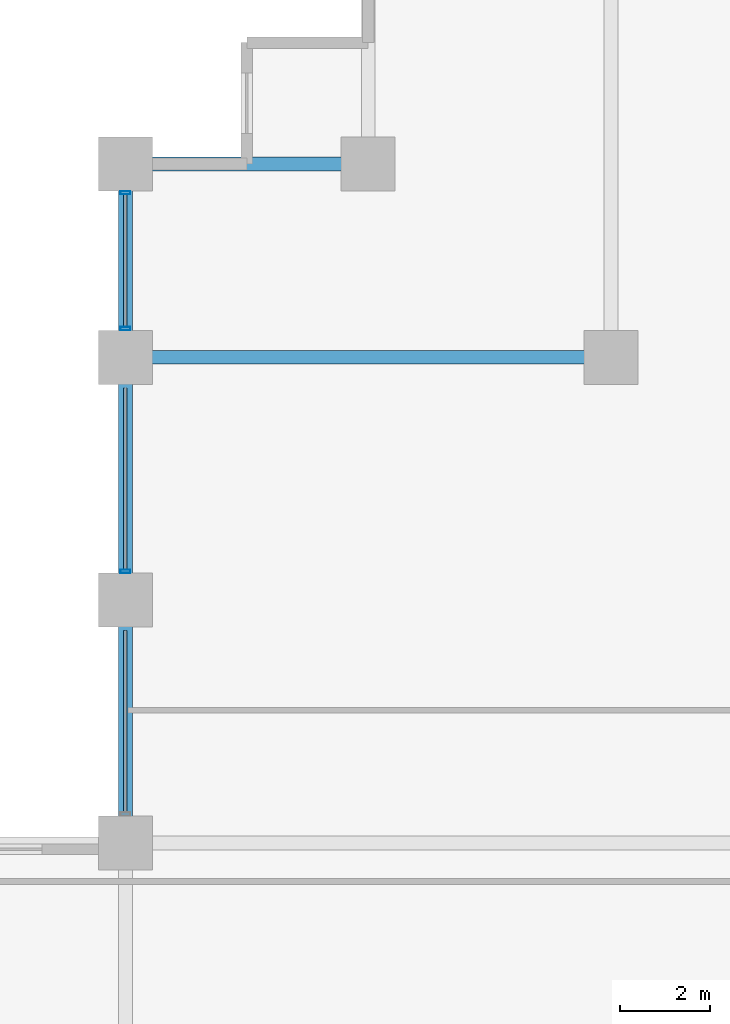
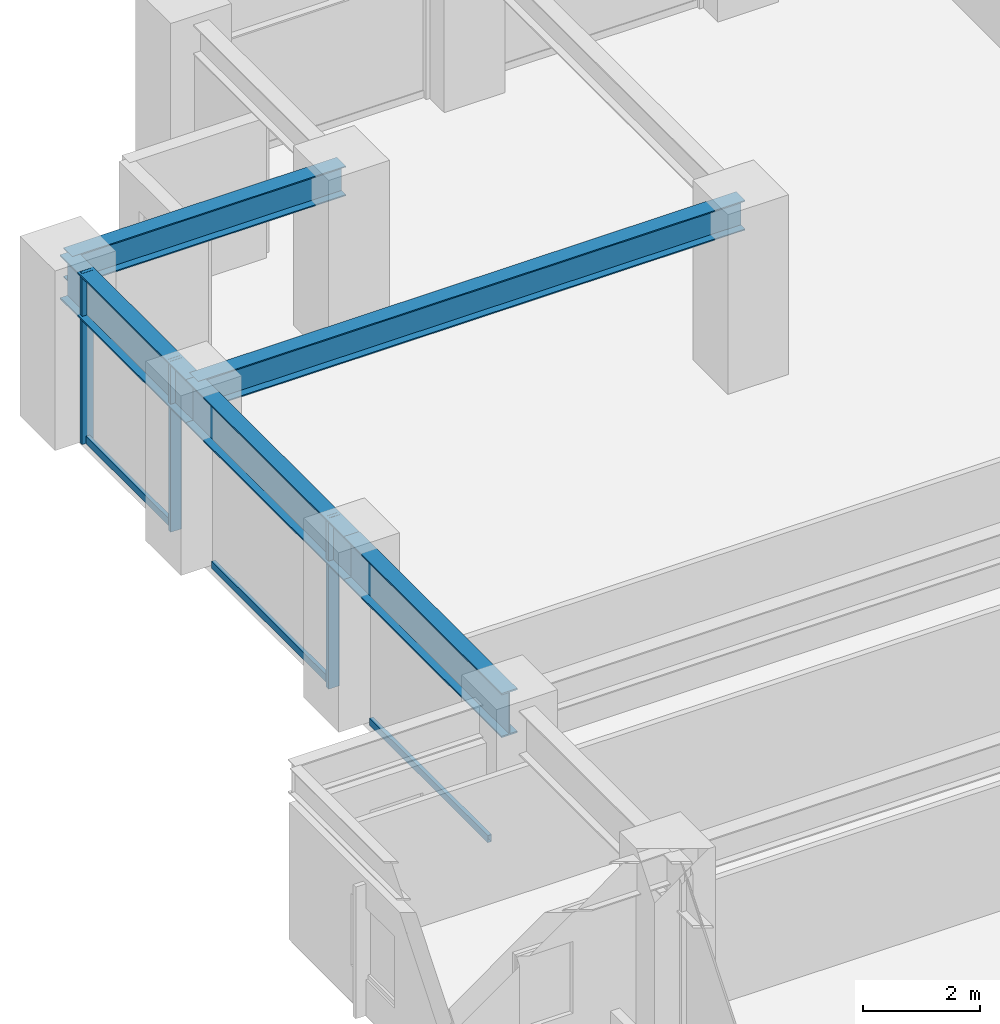
# One storey, part 10 of 28: 6 members, 5 beams, 1 element without a shape of its own.
"""IFC4 building model written with IfcOpenShell, lengths in metres."""

from ifc_helpers import new_model, si_unit, direction, frame, origin, origin_2d, place, context, subcontext, project, spatial, hollow_rectangle, i_section, extrude, material, layer, layer_set, material_profile, profile_set, type_object, element, aggregate, save


model = new_model("IFC4")

# Units and contexts
model_context = context("Model", 3, precision=1e-05, world=origin(), true_north=direction((0.0, 1.0)))
body_context = subcontext(model_context, "Body", "Model", "MODEL_VIEW")
ifc_project = project(units=[si_unit("LENGTHUNIT", "METRE"), si_unit("AREAUNIT", "SQUARE_METRE"), si_unit("VOLUMEUNIT", "CUBIC_METRE"), si_unit("PLANEANGLEUNIT", "RADIAN"), si_unit("MASSUNIT", "GRAM", prefix="KILO")], contexts=[model_context])

# Site, building, storey
site_placement = place(None, origin())
site = spatial("IfcSite", under=ifc_project, at=site_placement, CompositionType="ELEMENT")
building_placement = place(site_placement, origin())
building = spatial("IfcBuilding", under=site, at=building_placement, Name="Surkhivell Harbour Commons", CompositionType="ELEMENT")
storey_placement = place(building_placement, frame((0.0, 0.0, 63.75)))
storey = spatial("IfcBuildingStorey", under=building, at=storey_placement, Name="L16", CompositionType="ELEMENT", Elevation=63.75)

# Beams
ifc_material_1 = material(Name="Steel S355", Category="steel")
ifc_material_profile_1 = material_profile(ifc_material_1, i_section(OverallWidth=0.306884765625, OverallDepth=0.6201171875, WebThickness=0.01416015625, FlangeThickness=0.023681640625, at=origin_2d()), Name="UB610x305x179")
ifc_profile_set_1 = profile_set([ifc_material_profile_1], Name="Steel S355")
beam_type_1 = type_object("IfcBeamType", Name="BM-GRD-610A", PredefinedType="BEAM", material=ifc_profile_set_1)
beam_1_placement = place(storey_placement, frame((-32.39990234375, 16.199951171875, 3.260009765625), z_axis=(1.0, 0.0, 0.0), x_axis=(0.0, 1.0, 0.0)))
element("IfcBeam", 1, at=beam_1_placement, inside=storey, type_object=beam_type_1, Name="L16 Floor Girder (-32.4,16.2)", PredefinedType="BEAM", context=body_context, shape_type="SweptSolid", body=[
    extrude(i_section(OverallWidth=0.306884765625, OverallDepth=0.6201171875, WebThickness=0.01416015625, FlangeThickness=0.023681640625, at=origin_2d()), origin(), (0.0, 0.0, 1.0), 10.7998046875),
])
beam_2_placement = place(storey_placement, frame((-32.39990234375, 20.5, 3.260009765625), z_axis=(1.0, 0.0, 0.0), x_axis=(0.0, 1.0, 0.0)))
element("IfcBeam", 2, at=beam_2_placement, inside=storey, type_object=beam_type_1, Name="L16 Floor Girder (-32.4,20.5)", PredefinedType="BEAM", context=body_context, shape_type="SweptSolid", body=[
    extrude(i_section(OverallWidth=0.306884765625, OverallDepth=0.6201171875, WebThickness=0.01416015625, FlangeThickness=0.023681640625, at=origin_2d()), origin(), (0.0, 0.0, 1.0), 5.39990234375),
])
ifc_material_2 = material(Name="Steel S460", Category="steel")
ifc_material_profile_2 = material_profile(ifc_material_2, i_section(OverallWidth=0.30810546875, OverallDepth=0.927001953125, WebThickness=0.01953125, FlangeThickness=0.031982421875, at=origin_2d()), Name="UB914x305x289")
ifc_profile_set_2 = profile_set([ifc_material_profile_2], Name="Steel S460")
beam_type_2 = type_object("IfcBeamType", Name="BM-SPN-914B", PredefinedType="SPANDREL", material=ifc_profile_set_2)
beam_3_placement = place(storey_placement, frame((-32.39990234375, 5.39990234375, 3.1064453125), z_axis=(0.0, 1.0, 0.0), x_axis=(-1.0, 0.0, 0.0)))
element("IfcBeam", 3, at=beam_3_placement, inside=storey, type_object=beam_type_2, Name="L16 Tube Spandrel (-32.4,5.4)", PredefinedType="SPANDREL", context=body_context, shape_type="SweptSolid", body=[
    extrude(i_section(OverallWidth=0.30810546875, OverallDepth=0.927001953125, WebThickness=0.01953125, FlangeThickness=0.031982421875, at=origin_2d()), origin(), (0.0, 0.0, 1.0), 5.400146484375),
])
beam_4_placement = place(storey_placement, frame((-32.39990234375, 10.800048828125, 3.1064453125), z_axis=(0.0, 1.0, 0.0), x_axis=(-1.0, 0.0, 0.0)))
element("IfcBeam", 4, at=beam_4_placement, inside=storey, type_object=beam_type_2, Name="L16 Tube Spandrel (-32.4,10.8)", PredefinedType="SPANDREL", context=body_context, shape_type="SweptSolid", body=[
    extrude(i_section(OverallWidth=0.30810546875, OverallDepth=0.927001953125, WebThickness=0.01953125, FlangeThickness=0.031982421875, at=origin_2d()), origin(), (0.0, 0.0, 1.0), 5.39990234375),
])
beam_5_placement = place(storey_placement, frame((-32.39990234375, 16.199951171875, 3.1064453125), z_axis=(0.0, 1.0, 0.0), x_axis=(-1.0, 0.0, 0.0)))
element("IfcBeam", 5, at=beam_5_placement, inside=storey, type_object=beam_type_2, Name="L16 Tube Spandrel (-32.4,16.2)", PredefinedType="SPANDREL", context=body_context, shape_type="SweptSolid", body=[
    extrude(i_section(OverallWidth=0.30810546875, OverallDepth=0.927001953125, WebThickness=0.01953125, FlangeThickness=0.031982421875, at=origin_2d()), origin(), (0.0, 0.0, 1.0), 4.300048828125),
])

# Curtain wall, members
ifc_material_3 = material(Name="Anodised pale-metal aluminium and insulated glazing", Category="aluminium")
ifc_layer = layer(ifc_material_3, 0.219970703125)
ifc_layer_set = layer_set([ifc_layer], Name="Anodised pale-metal aluminium and insulated glazing")
curtain_wall_type = type_object("IfcCurtainWallType", Name="CW-SYS-Z1", PredefinedType="NOTDEFINED", material=ifc_layer_set)
curtain_wall_placement = place(storey_placement, origin())
curtain_wall = element("IfcCurtainWall", 6, at=curtain_wall_placement, inside=storey, type_object=curtain_wall_type, Name="L16 Curtain Wall CW-L16-E12R2", PredefinedType="NOTDEFINED")
ifc_material_4 = material(Name="Anodised pale-metal aluminium alloy 6063-T6", Category="aluminium")
ifc_material_profile_3 = material_profile(ifc_material_4, hollow_rectangle(XDim=0.074951171875, YDim=0.219970703125, WallThickness=0.00390625, at=origin_2d()), Name="ALU-MULL-75x220")
ifc_profile_set_3 = profile_set([ifc_material_profile_3], Name="Anodised pale-metal aluminium alloy 6063-T6")
member_type_1 = type_object("IfcMemberType", Name="CWM-220", PredefinedType="MULLION", material=ifc_profile_set_3)
member_1_placement = place(storey_placement, frame((-32.39990234375, 11.439453125, 0.0), z_axis=(0.0, 0.0, 1.0), x_axis=(0.0, 1.0, 0.0)))
member_1 = element("IfcMember", 7, at=member_1_placement, type_object=member_type_1, Name="CW-Z1 mullion 2", PredefinedType="MULLION", context=body_context, shape_type="SweptSolid", body=[
    extrude(hollow_rectangle(XDim=0.074951171875, YDim=0.219970703125, WallThickness=0.00390625, at=origin_2d()), origin(), (0.0, 0.0, 1.0), 3.570068359375),
])
member_2_placement = place(storey_placement, frame((-32.39990234375, 16.839599609375, 0.0), z_axis=(0.0, 0.0, 1.0), x_axis=(0.0, 1.0, 0.0)))
member_2 = element("IfcMember", 8, at=member_2_placement, type_object=member_type_1, Name="CW-Z1 mullion 3", PredefinedType="MULLION", context=body_context, shape_type="SweptSolid", body=[
    extrude(hollow_rectangle(XDim=0.074951171875, YDim=0.219970703125, WallThickness=0.00390625, at=origin_2d()), origin(), (0.0, 0.0, 1.0), 3.570068359375),
])
member_3_placement = place(storey_placement, frame((-32.39990234375, 19.860595703125, 0.0), z_axis=(0.0, 0.0, 1.0), x_axis=(0.0, 1.0, 0.0)))
member_3 = element("IfcMember", 9, at=member_3_placement, type_object=member_type_1, Name="CW-Z1 mullion 4", PredefinedType="MULLION", context=body_context, shape_type="SweptSolid", body=[
    extrude(hollow_rectangle(XDim=0.074951171875, YDim=0.219970703125, WallThickness=0.00390625, at=origin_2d()), origin(), (0.0, 0.0, 1.0), 3.570068359375),
])
ifc_material_profile_4 = material_profile(ifc_material_4, hollow_rectangle(XDim=0.074951171875, YDim=0.14990234375, WallThickness=0.00341796875, at=origin_2d()), Name="ALU-TRAN-75x150")
ifc_profile_set_4 = profile_set([ifc_material_profile_4], Name="Anodised pale-metal aluminium alloy 6063-T6")
member_type_2 = type_object("IfcMemberType", Name="CWT-150", PredefinedType="USERDEFINED", material=ifc_profile_set_4)
member_4_placement = place(storey_placement, frame((-32.39990234375, 6.076904296875, 0.074951171875), z_axis=(0.0, 1.0, 0.0), x_axis=(-1.0, 0.0, 0.0)))
member_4 = element("IfcMember", 10, at=member_4_placement, type_object=member_type_2, Name="CW-Z1 transom 1.1", ObjectType="TRANSOM", PredefinedType="USERDEFINED", context=body_context, shape_type="SweptSolid", body=[
    extrude(hollow_rectangle(XDim=0.074951171875, YDim=0.14990234375, WallThickness=0.00341796875, at=origin_2d()), origin(), (0.0, 0.0, 1.0), 4.046142578125),
])
member_5_placement = place(storey_placement, frame((-32.39990234375, 11.47705078125, 0.074951171875), z_axis=(0.0, 1.0, 0.0), x_axis=(-1.0, 0.0, 0.0)))
member_5 = element("IfcMember", 11, at=member_5_placement, type_object=member_type_2, Name="CW-Z1 transom 2.1", ObjectType="TRANSOM", PredefinedType="USERDEFINED", context=body_context, shape_type="SweptSolid", body=[
    extrude(hollow_rectangle(XDim=0.074951171875, YDim=0.14990234375, WallThickness=0.00341796875, at=origin_2d()), origin(), (0.0, 0.0, 1.0), 4.0458984375),
])
member_6_placement = place(storey_placement, frame((-32.39990234375, 16.876953125, 0.074951171875), z_axis=(0.0, 1.0, 0.0), x_axis=(-1.0, 0.0, 0.0)))
member_6 = element("IfcMember", 12, at=member_6_placement, type_object=member_type_2, Name="CW-Z1 transom 3.1", ObjectType="TRANSOM", PredefinedType="USERDEFINED", context=body_context, shape_type="SweptSolid", body=[
    extrude(hollow_rectangle(XDim=0.074951171875, YDim=0.14990234375, WallThickness=0.00341796875, at=origin_2d()), origin(), (0.0, 0.0, 1.0), 2.946044921875),
])
aggregate(curtain_wall, [member_4, member_1, member_5, member_2, member_3, member_6])

save(model, "model.ifc")
